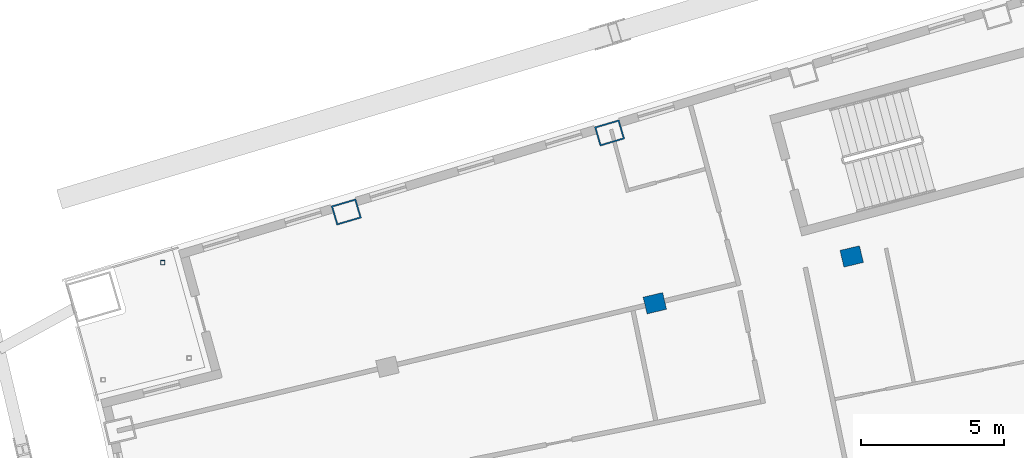
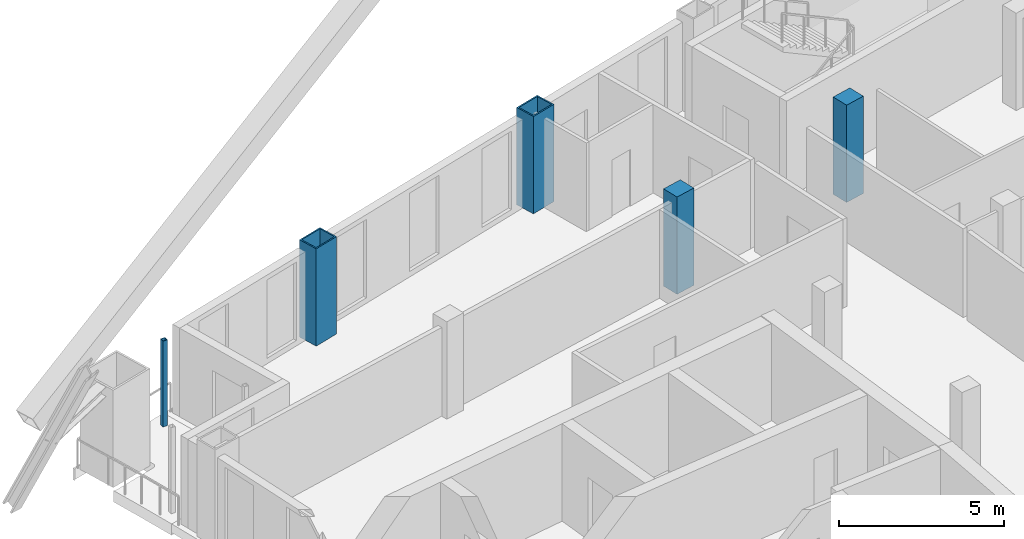
# One storey, part 5 of 16: 5 columns.
"""IFC4 building model written with IfcOpenShell, lengths in metres."""

from ifc_helpers import new_model, si_unit, direction, frame, origin, origin_2d, place, context, subcontext, project, spatial, rectangle, hollow_rectangle, extrude, material, material_profile, profile_set, type_object, element, save


model = new_model("IFC4")

# Units and contexts
model_context = context("Model", 3, precision=1e-05, world=origin(), true_north=direction((0.0, 1.0)))
body_context = subcontext(model_context, "Body", "Model", "MODEL_VIEW")
ifc_project = project(units=[si_unit("LENGTHUNIT", "METRE"), si_unit("AREAUNIT", "SQUARE_METRE"), si_unit("VOLUMEUNIT", "CUBIC_METRE"), si_unit("PLANEANGLEUNIT", "RADIAN"), si_unit("MASSUNIT", "GRAM", prefix="KILO")], contexts=[model_context])

# Site, building, storey
site_placement = place(None, origin())
site = spatial("IfcSite", under=ifc_project, at=site_placement, CompositionType="ELEMENT")
building_placement = place(site_placement, origin())
building = spatial("IfcBuilding", under=site, at=building_placement, Name="Alderwake Tower", CompositionType="ELEMENT")
storey_placement = place(building_placement, frame((0.0, 0.0, 245.60009765625)))
storey = spatial("IfcBuildingStorey", under=building, at=storey_placement, Name="L60", CompositionType="ELEMENT", Elevation=245.60009765625)

# Columns
ifc_material_1 = material(Name="Steel ASTM A572 Grade 50 concrete filled C70/85", Category="concrete")
ifc_material_profile_1 = material_profile(ifc_material_1, hollow_rectangle(XDim=0.699951171875, YDim=0.89990234375, WallThickness=0.050048828125, at=origin_2d()), Name="BOX 900X700X50")
ifc_profile_set_1 = profile_set([ifc_material_profile_1], Name="Steel ASTM A572 Grade 50 concrete filled C70/85")
column_type_1 = type_object("IfcColumnType", Name="End column Z5", PredefinedType="COLUMN", material=ifc_profile_set_1)
for number, where, z_axis, x_axis, name in (
    (1, (21.885498046875, 90.96240234375, 0.0), (0.0, 0.0, 1.0), (-0.282132160283, 0.95937554906, 0.0), "Column R12-C1"),
    (2, (31.080322265625, 93.72314453125, 0.0), (0.0, 0.0, 1.0), (-0.282582549822, 0.959242984095, 0.0), "Column R12-C2"),
):
    element("IfcColumn", number, at=place(storey_placement, frame(where, z_axis=z_axis, x_axis=x_axis)), inside=storey, type_object=column_type_1, Name=name, PredefinedType="COLUMN", context=body_context, shape_type="SweptSolid", body=[
        extrude(hollow_rectangle(XDim=0.699951171875, YDim=0.89990234375, WallThickness=0.050048828125, at=origin_2d()), origin(), (0.0, 0.0, 1.0), 3.599853515625),
    ])
ifc_material_2 = material(Name="Concrete C70/85", Category="concrete")
ifc_material_profile_2 = material_profile(ifc_material_2, rectangle(XDim=0.60009765625, YDim=0.699951171875, at=origin_2d()), Name="RC 700X600")
ifc_profile_set_2 = profile_set([ifc_material_profile_2], Name="Concrete C70/85")
column_type_2 = type_object("IfcColumnType", Name="Interior column Z5", PredefinedType="COLUMN", material=ifc_profile_set_2)
for number, where, z_axis, x_axis, name in (
    (3, (32.661865234375, 87.775390625, 0.0), (0.0, 0.0, 1.0), (-0.231221547198, 0.972901123502, 0.0), "Column R11-C2"),
    (4, (39.537109375, 89.409423828125, 0.0), (0.0, 0.0, 1.0), (-0.231221547198, 0.972901123502, 0.0), "Column R11-C3"),
):
    element("IfcColumn", number, at=place(storey_placement, frame(where, z_axis=z_axis, x_axis=x_axis)), inside=storey, type_object=column_type_2, Name=name, PredefinedType="COLUMN", context=body_context, shape_type="SweptSolid", body=[
        extrude(rectangle(XDim=0.60009765625, YDim=0.699951171875, at=origin_2d()), origin(), (0.0, 0.0, 1.0), 3.599853515625),
    ])
ifc_material_3 = material(Name="Steel ASTM A500 Grade C", Category="steel")
ifc_material_profile_3 = material_profile(ifc_material_3, hollow_rectangle(XDim=0.15234375, YDim=0.15234375, WallThickness=0.0087890625, at=origin_2d()), Name="HSS6X6X3/8")
ifc_profile_set_3 = profile_set([ifc_material_profile_3], Name="Steel ASTM A500 Grade C")
column_type_3 = type_object("IfcColumnType", Name="Light post HSS6X6X3/8", PredefinedType="COLUMN", material=ifc_profile_set_3)
column_placement = place(storey_placement, frame((15.47412109375, 89.194091796875, 0.0), z_axis=(0.0, 0.0, 1.0), x_axis=(1.0, 0.0, 0.0)))
element("IfcColumn", 5, at=column_placement, inside=storey, type_object=column_type_3, Name="Terrace post RN2", PredefinedType="COLUMN", context=body_context, shape_type="SweptSolid", body=[
    extrude(hollow_rectangle(XDim=0.15234375, YDim=0.15234375, WallThickness=0.0087890625, at=origin_2d()), origin(), (0.0, 0.0, 1.0), 3.179931640625),
])

save(model, "model.ifc")
